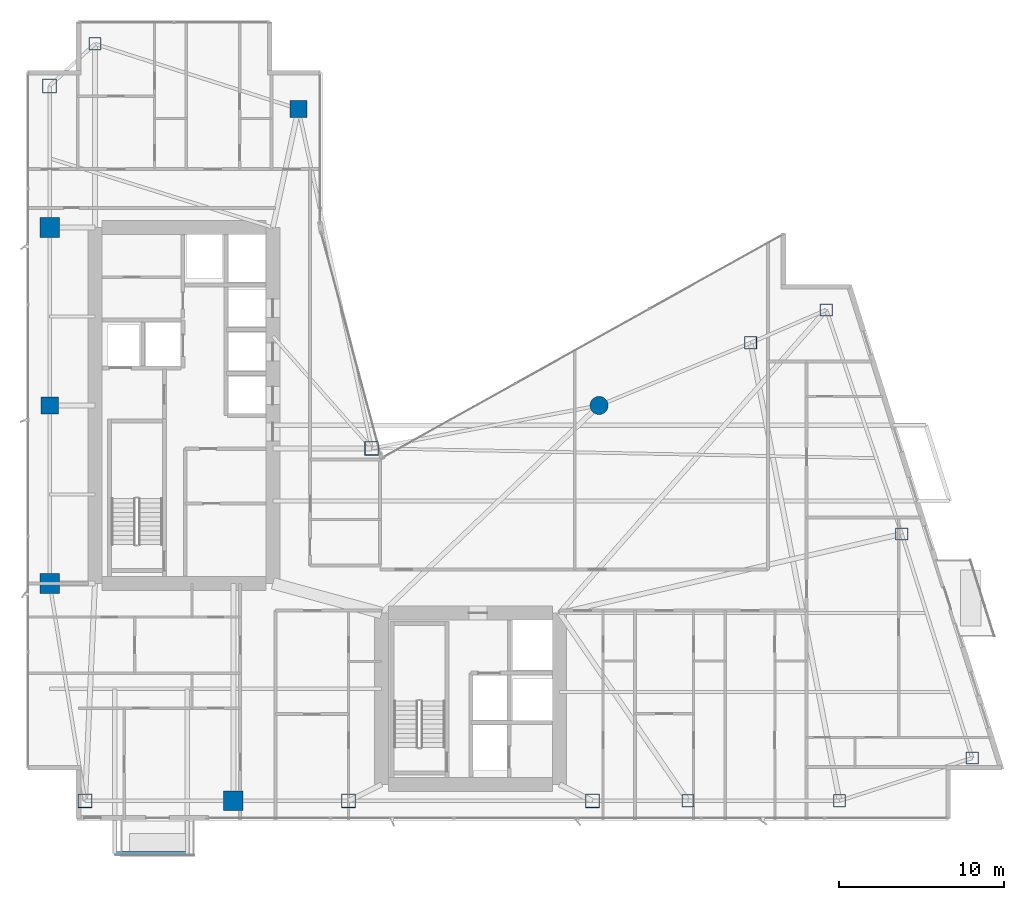
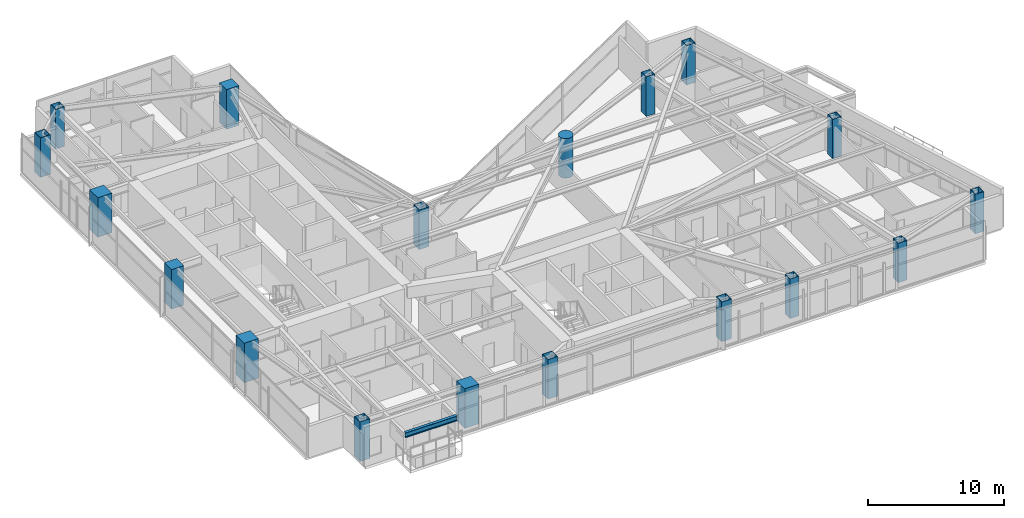
# One storey, part 1 of 28: 18 columns, 1 beam.
"""IFC4 building model written with IfcOpenShell, lengths in metres."""

from ifc_helpers import new_model, si_unit, direction, frame, origin, origin_2d, place, context, subcontext, project, spatial, rectangle, hollow_rectangle, circle, i_section, extrude, material, material_profile, profile_set, type_object, element, save


model = new_model("IFC4")

# Units and contexts
model_context = context("Model", 3, precision=1e-05, world=origin(), true_north=direction((0.0, 1.0)))
body_context = subcontext(model_context, "Body", "Model", "MODEL_VIEW")
ifc_project = project(units=[si_unit("LENGTHUNIT", "METRE"), si_unit("AREAUNIT", "SQUARE_METRE"), si_unit("VOLUMEUNIT", "CUBIC_METRE"), si_unit("PLANEANGLEUNIT", "RADIAN"), si_unit("MASSUNIT", "GRAM", prefix="KILO")], contexts=[model_context])

# Site, building, storey
site_placement = place(None, origin())
site = spatial("IfcSite", under=ifc_project, at=site_placement, CompositionType="ELEMENT")
building_placement = place(site_placement, origin())
building = spatial("IfcBuilding", under=site, at=building_placement, Name="Calvorn Quay Hotel", CompositionType="ELEMENT")
storey_placement = place(building_placement, frame((0.0, 0.0, 108.800048828125)))
storey = spatial("IfcBuildingStorey", under=building, at=storey_placement, Name="L26", CompositionType="ELEMENT", Elevation=108.800048828125)

# Columns
ifc_material_1 = material(Name="Concrete C50", Category="concrete")
ifc_material_profile_1 = material_profile(ifc_material_1, rectangle(XDim=1.050048828125, YDim=1.050048828125, at=origin_2d()), Name="RC1050x1050")
ifc_profile_set_1 = profile_set([ifc_material_profile_1], Name="Concrete C50")
column_type_1 = type_object("IfcColumnType", Name="COL-RC-1050", PredefinedType="COLUMN", material=ifc_profile_set_1)
for number, where, z_axis, x_axis, name in (
    (1, (1.449951171875, 27.60009765625, 0.0), (0.0, 0.0, 1.0), (1.0, 0.0, 0.0), "Column C-W3 (L26)"),
    (2, (16.550048828125, 45.60009765625, 0.0), (0.0, 0.0, 1.0), (1.0, 0.0, 0.0), "Column C-IC1 (L26)"),
):
    element("IfcColumn", number, at=place(storey_placement, frame(where, z_axis=z_axis, x_axis=x_axis)), inside=storey, type_object=column_type_1, Name=name, PredefinedType="COLUMN", context=body_context, shape_type="SweptSolid", body=[
        extrude(rectangle(XDim=1.050048828125, YDim=1.050048828125, at=origin_2d()), origin(), (0.0, 0.0, 1.0), 3.56005859375),
    ])
ifc_material_2 = material(Name="Concrete C50", Category="concrete")
ifc_material_profile_2 = material_profile(ifc_material_2, rectangle(XDim=1.199951171875, YDim=1.199951171875, at=origin_2d()), Name="RC1200x1200")
ifc_profile_set_2 = profile_set([ifc_material_profile_2], Name="Concrete C50")
column_type_2 = type_object("IfcColumnType", Name="COL-RC-1200", PredefinedType="COLUMN", material=ifc_profile_set_2)
for number, where, z_axis, x_axis, name in (
    (3, (1.449951171875, 16.800048828125, 0.0), (0.0, 0.0, 1.0), (1.0, 0.0, 0.0), "Column C-W2 (L26)"),
    (4, (1.449951171875, 38.39990234375, 0.0), (0.0, 0.0, 1.0), (1.0, 0.0, 0.0), "Column C-W4 (L26)"),
    (5, (12.60009765625, 3.60009765625, 0.0), (0.0, 0.0, 1.0), (1.0, 0.0, 0.0), "Column C-S1 (L26)"),
):
    element("IfcColumn", number, at=place(storey_placement, frame(where, z_axis=z_axis, x_axis=x_axis)), inside=storey, type_object=column_type_2, Name=name, PredefinedType="COLUMN", context=body_context, shape_type="SweptSolid", body=[
        extrude(rectangle(XDim=1.199951171875, YDim=1.199951171875, at=origin_2d()), origin(), (0.0, 0.0, 1.0), 3.56005859375),
    ])
ifc_material_3 = material(Name="Concrete C50", Category="concrete")
ifc_material_profile_3 = material_profile(ifc_material_3, circle(Radius=0.550048828125, at=origin_2d()), Name="RCD1100")
ifc_profile_set_3 = profile_set([ifc_material_profile_3], Name="Concrete C50")
column_type_3 = type_object("IfcColumnType", Name="COL-RC-D1100", PredefinedType="COLUMN", material=ifc_profile_set_3)
column_placement = place(storey_placement, frame((34.800048828125, 27.60009765625, 0.0), z_axis=(0.0, 0.0, 1.0), x_axis=(1.0, 0.0, 0.0)))
element("IfcColumn", 6, at=column_placement, inside=storey, type_object=column_type_3, Name="Column C-NC1 (L26)", PredefinedType="COLUMN", context=body_context, shape_type="SweptSolid", body=[
    extrude(circle(Radius=0.550048828125, at=origin_2d()), origin(), (0.0, 0.0, 1.0), 3.56005859375),
])
ifc_material_4 = material(Name="Steel Q390GJC", Category="steel")
ifc_material_profile_4 = material_profile(ifc_material_4, hollow_rectangle(XDim=0.85009765625, YDim=0.85009765625, WallThickness=0.035888671875, at=origin_2d()), Name="BOX850x850x36")
ifc_profile_set_4 = profile_set([ifc_material_profile_4], Name="Steel Q390GJC")
column_type_4 = type_object("IfcColumnType", Name="COL-STL-Z2", PredefinedType="COLUMN", material=ifc_profile_set_4)
for number, where, z_axis, x_axis, name in (
    (7, (3.60009765625, 3.60009765625, 0.0), (0.0, 0.0, 1.0), (1.0, 0.0, 0.0), "Column C-W1 (L26)"),
    (8, (1.449951171875, 47.0, 0.0), (0.0, 0.0, 1.0), (1.0, 0.0, 0.0), "Column C-W5 (L26)"),
    (9, (21.0, 25.0, 0.0), (0.0, 0.0, 1.0), (1.0, 0.0, 0.0), "Column C-IC2 (L26)"),
    (10, (19.60009765625, 3.60009765625, 0.0), (0.0, 0.0, 1.0), (1.0, 0.0, 0.0), "Column C-S2 (L26)"),
    (11, (34.39990234375, 3.60009765625, 0.0), (0.0, 0.0, 1.0), (1.0, 0.0, 0.0), "Column C-S3 (L26)"),
):
    element("IfcColumn", number, at=place(storey_placement, frame(where, z_axis=z_axis, x_axis=x_axis)), inside=storey, type_object=column_type_4, Name=name, PredefinedType="COLUMN", context=body_context, shape_type="SweptSolid", body=[
        extrude(hollow_rectangle(XDim=0.85009765625, YDim=0.85009765625, WallThickness=0.035888671875, at=origin_2d()), origin(), (0.0, 0.0, 1.0), 3.56005859375),
    ])
ifc_material_5 = material(Name="Steel Q390GJC", Category="steel")
ifc_material_profile_5 = material_profile(ifc_material_5, hollow_rectangle(XDim=0.75, YDim=0.75, WallThickness=0.031982421875, at=origin_2d()), Name="BOX750x750x32")
ifc_profile_set_5 = profile_set([ifc_material_profile_5], Name="Steel Q390GJC")
column_type_5 = type_object("IfcColumnType", Name="COL-STL-Z3", PredefinedType="COLUMN", material=ifc_profile_set_5)
for number, where, z_axis, x_axis, name in (
    (12, (4.199951171875, 49.550048828125, 0.0), (0.0, 0.0, 1.0), (1.0, 0.0, 0.0), "Column C-NW1 (L26)"),
    (13, (40.199951171875, 3.60009765625, 0.0), (0.0, 0.0, 1.0), (1.0, 0.0, 0.0), "Column C-S4 (L26)"),
    (14, (49.39990234375, 3.60009765625, 0.0), (0.0, 0.0, 1.0), (1.0, 0.0, 0.0), "Column C-S5 (L26)"),
    (15, (44.0, 31.39990234375, 0.0), (0.0, 0.0, 1.0), (1.0, 0.0, 0.0), "Column C-NC2 (L26)"),
    (16, (57.4609375, 6.199951171875, 0.0), (0.0, 0.0, 1.0), (1.0, 0.0, 0.0), "Column C-ET1 (L26)"),
    (17, (53.176025390625, 19.800048828125, 0.0), (0.0, 0.0, 1.0), (1.0, 0.0, 0.0), "Column C-ET2 (L26)"),
    (18, (48.591064453125, 33.39990234375, 0.0), (0.0, 0.0, 1.0), (1.0, 0.0, 0.0), "Column C-ET3 (L26)"),
):
    element("IfcColumn", number, at=place(storey_placement, frame(where, z_axis=z_axis, x_axis=x_axis)), inside=storey, type_object=column_type_5, Name=name, PredefinedType="COLUMN", context=body_context, shape_type="SweptSolid", body=[
        extrude(hollow_rectangle(XDim=0.75, YDim=0.75, WallThickness=0.031982421875, at=origin_2d()), origin(), (0.0, 0.0, 1.0), 3.56005859375),
    ])

# Beam
ifc_material_6 = material(Name="Steel Q355B", Category="steel")
ifc_material_profile_6 = material_profile(ifc_material_6, i_section(OverallWidth=0.25, OverallDepth=0.449951171875, WebThickness=0.011962890625, FlangeThickness=0.01611328125, FilletRadius=0.01611328125, at=origin_2d()), Name="HN450x250x12x16")
ifc_profile_set_6 = profile_set([ifc_material_profile_6], Name="Steel Q355B")
beam_type = type_object("IfcBeamType", Name="BM-CANT-BALC", PredefinedType="BEAM", material=ifc_profile_set_6)
beam_placement = place(storey_placement, frame((5.39990234375, 0.409912109375, 3.31494140625), z_axis=(1.0, 0.0, 0.0), x_axis=(0.0, 1.0, 0.0)))
element("IfcBeam", 19, at=beam_placement, inside=storey, type_object=beam_type, Name="Beam BCBO-L27-2", PredefinedType="BEAM", context=body_context, shape_type="SweptSolid", body=[
    extrude(i_section(OverallWidth=0.25, OverallDepth=0.449951171875, WebThickness=0.011962890625, FlangeThickness=0.01611328125, FilletRadius=0.01611328125, at=origin_2d()), origin(), (0.0, 0.0, 1.0), 4.400146484375),
])

save(model, "model.ifc")
